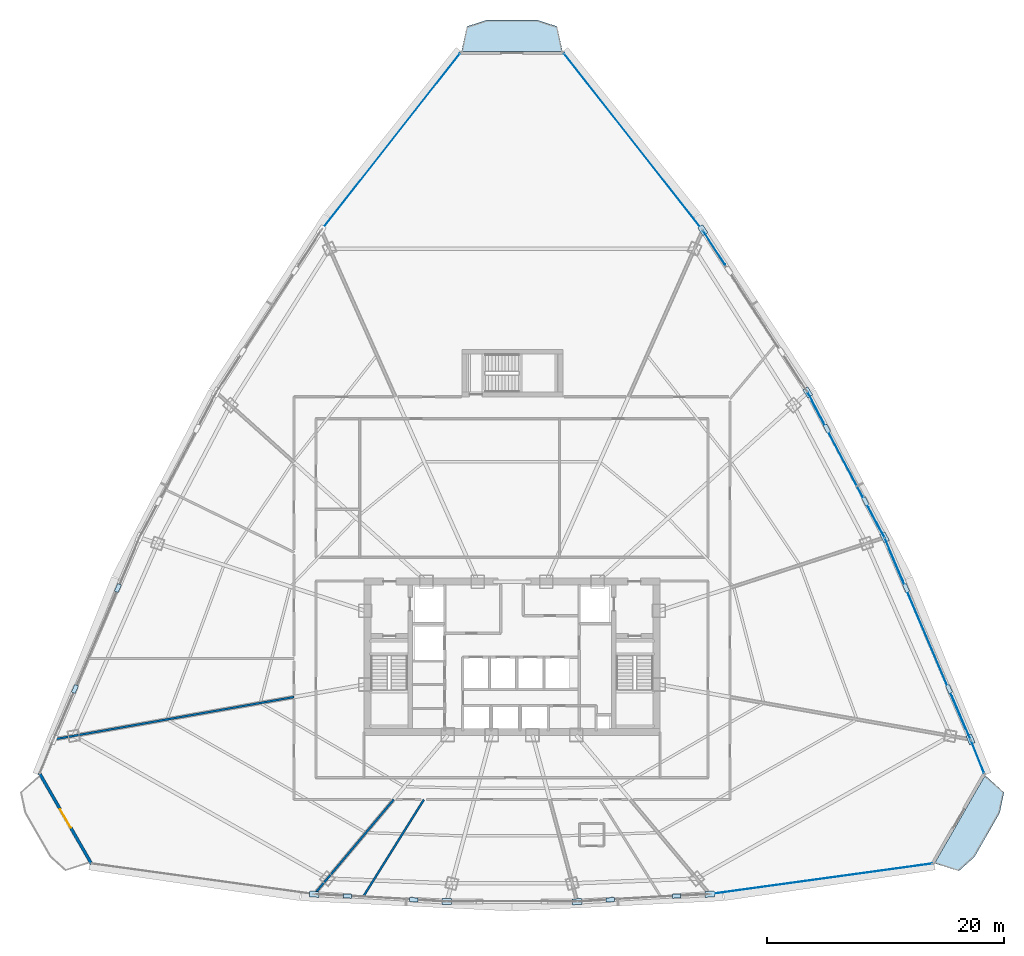
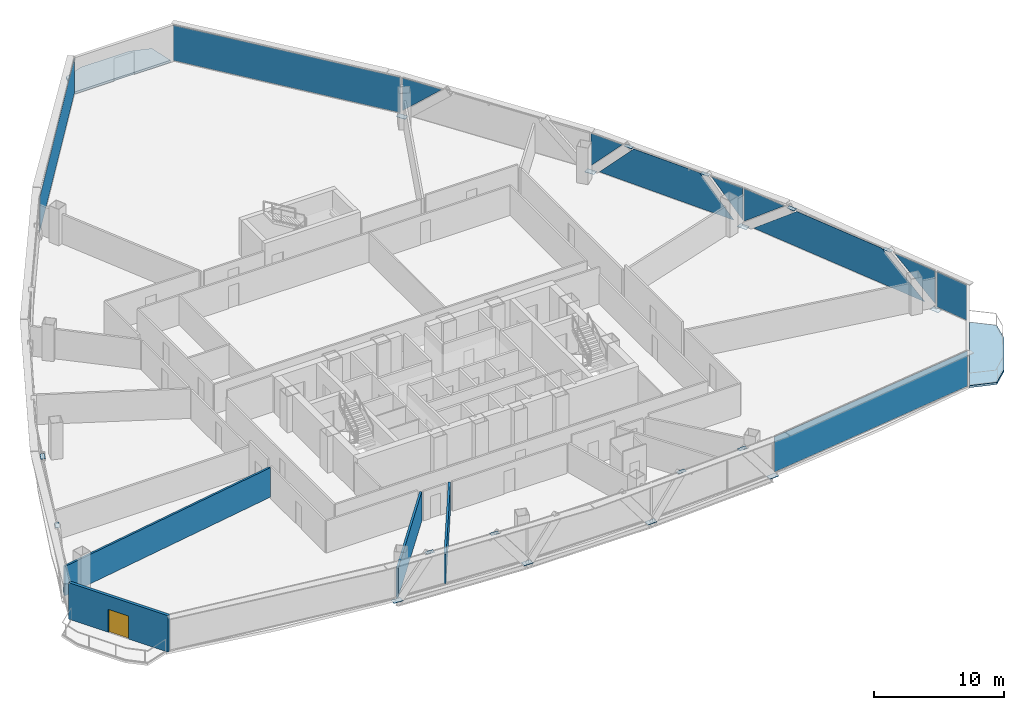
# One storey, part 31 of 39: 29 plates, 4 walls, 2 slabs, 1 door, 1 opening, 7 elements without a shape of their own.
"""IFC4 building model written with IfcOpenShell, lengths in metres."""

from ifc_helpers import new_model, si_unit, direction, frame, frame_2d, origin, origin_with_axes, origin_2d, place, context, subcontext, project, spatial, polyline, rectangle, outline, extrude, source, transform, mapped, material, layer, layer_set, type_object, element, fill, aggregate, save


model = new_model("IFC4")

# Units and contexts
model_context = context("Model", 3, precision=1e-05, world=origin(), true_north=direction((0.0, 1.0)))
body_context = subcontext(model_context, "Body", "Model", "MODEL_VIEW")
ifc_project = project(units=[si_unit("LENGTHUNIT", "METRE"), si_unit("AREAUNIT", "SQUARE_METRE"), si_unit("VOLUMEUNIT", "CUBIC_METRE"), si_unit("PLANEANGLEUNIT", "RADIAN"), si_unit("MASSUNIT", "GRAM", prefix="KILO"), si_unit("THERMODYNAMICTEMPERATUREUNIT", "KELVIN"), si_unit("POWERUNIT", "WATT")], contexts=[model_context])

# Site, building, storey
site_placement = place(None, origin())
site = spatial("IfcSite", under=ifc_project, at=site_placement, CompositionType="ELEMENT")
building_placement = place(site_placement, origin())
building = spatial("IfcBuilding", under=site, at=building_placement, Name="Yunzhuo Pagoda Commons", CompositionType="ELEMENT")
storey_placement = place(building_placement, frame((0.0, 0.0, 144.550048828125)))
storey = spatial("IfcBuildingStorey", under=building, at=storey_placement, Name="L36", CompositionType="ELEMENT", Elevation=144.550048828125)

# Curtain wall, plates
ifc_material_1 = material(Name="Anodized aluminium 6063-T6", Category="aluminium")
ifc_layer_1 = layer(ifc_material_1, 0.14990234375)
ifc_layer_set_1 = layer_set([ifc_layer_1], Name="Anodized aluminium 6063-T6")
curtain_wall_type = type_object("IfcCurtainWallType", Name="CW-MID Mid-Zone Ribbon Curtain Wall", PredefinedType="NOTDEFINED", material=ifc_layer_set_1)
curtain_wall_1_placement = place(storey_placement, origin())
curtain_wall_1 = element("IfcCurtainWall", 1, at=curtain_wall_1_placement, inside=storey, type_object=curtain_wall_type, Name="L36 curtain wall CW-L36-F2B2", PredefinedType="NOTDEFINED")
ifc_material_2 = material(Name="Tempered low-e double glazing", Category="glass")
ifc_layer_2 = layer(ifc_material_2, 0.028076171875)
ifc_layer_set_2 = layer_set([ifc_layer_2], Name="Tempered low-e double glazing")
plate_type_1 = type_object("IfcPlateType", Name="CW-MID-P Low-E Double Glazing 28", PredefinedType="CURTAIN_PANEL", material=ifc_layer_set_2)
plate_1_placement = place(storey_placement, frame((85.910400390625, 28.71435546875, 1.81884765625), z_axis=(0.920072228059, 0.391748765351, 0.0), x_axis=(-0.391748765351, 0.920072228059, 0.0)))
plate_1 = element("IfcPlate", 2, at=plate_1_placement, type_object=plate_type_1, Name="CW panel 1.1 lite 1", PredefinedType="CURTAIN_PANEL", context=body_context, shape_type="SweptSolid", body=[
    extrude(outline(polyline([(-1.94580078125, -1.5458984375), (1.945556640625, 1.5458984375), (-1.94580078125, 1.5458984375), (-1.94580078125, -1.5458984375)])), origin(), (0.0, 0.0, 1.0), 0.028076171875),
])
plate_2_placement = place(storey_placement, frame((83.039794921875, 35.379638671875, 1.7099609375), z_axis=(0.920072228059, 0.391748765351, 0.0), x_axis=(-0.391748765351, 0.920072228059, 0.0)))
plate_2 = element("IfcPlate", 3, at=plate_2_placement, type_object=plate_type_1, Name="CW panel 1.1 lite 2", PredefinedType="CURTAIN_PANEL", context=body_context, shape_type="SweptSolid", body=[
    extrude(outline(polyline([(-8.25537109375, -1.655029296875), (8.25537109375, -1.655029296875), (4.089599609375, 1.655029296875), (-4.089599609375, 1.655029296875), (-8.25537109375, -1.655029296875)])), origin(), (0.0, 0.0, 1.0), 0.028076171875),
])
plate_3_placement = place(storey_placement, frame((80.224365234375, 42.068359375, 1.81884765625), z_axis=(0.920072228059, 0.391748765351, 0.0), x_axis=(-0.391748765351, 0.920072228059, 0.0)))
plate_3 = element("IfcPlate", 4, at=plate_3_placement, type_object=plate_type_1, Name="CW panel 1.1 lite 3", PredefinedType="CURTAIN_PANEL", context=body_context, shape_type="SweptSolid", body=[
    extrude(outline(polyline([(-1.945556640625, 1.5458984375), (1.94580078125, -1.5458984375), (1.94580078125, 1.5458984375), (-1.945556640625, 1.5458984375)])), origin(), (0.0, 0.0, 1.0), 0.028076171875),
])
aggregate(curtain_wall_1, [plate_1, plate_2, plate_3])

curtain_wall_2_placement = place(storey_placement, origin())
curtain_wall_2 = element("IfcCurtainWall", 5, at=curtain_wall_2_placement, inside=storey, type_object=curtain_wall_type, Name="L36 curtain wall CW-L36-F2B3", PredefinedType="NOTDEFINED")
plate_4_placement = place(storey_placement, frame((78.74853515625, 45.218017578125, 1.861328125), z_axis=(0.883879096849, 0.467715449984, 0.0), x_axis=(-0.467715449984, 0.883879096849, 0.0)))
plate_4 = element("IfcPlate", 6, at=plate_4_placement, type_object=plate_type_1, Name="CW panel 1.1 lite 1", PredefinedType="CURTAIN_PANEL", context=body_context, shape_type="SweptSolid", body=[
    extrude(outline(polyline([(-1.416748046875, -1.503662109375), (1.416748046875, 1.503662109375), (-1.416748046875, 1.503662109375), (-1.416748046875, -1.503662109375)])), origin(), (0.0, 0.0, 1.0), 0.028076171875),
])
plate_5_placement = place(storey_placement, frame((76.169189453125, 50.0283203125, 1.7099609375), z_axis=(0.883879096849, 0.467715449984, 0.0), x_axis=(-0.467715449984, 0.883879096849, 0.0)))
plate_5 = element("IfcPlate", 7, at=plate_5_placement, type_object=plate_type_1, Name="CW panel 1.1 lite 2", PredefinedType="CURTAIN_PANEL", context=body_context, shape_type="SweptSolid", body=[
    extrude(outline(polyline([(-6.115966796875, -1.655029296875), (6.115966796875, -1.655029296875), (2.997314453125, 1.655029296875), (-2.9970703125, 1.655029296875), (-6.115966796875, -1.655029296875)])), origin(), (0.0, 0.0, 1.0), 0.028076171875),
])
plate_6_placement = place(storey_placement, frame((73.64306640625, 54.866455078125, 1.861328125), z_axis=(0.883879096849, 0.467715449984, 0.0), x_axis=(-0.467715449984, 0.883879096849, 0.0)))
plate_6 = element("IfcPlate", 8, at=plate_6_placement, type_object=plate_type_1, Name="CW panel 1.1 lite 3", PredefinedType="CURTAIN_PANEL", context=body_context, shape_type="SweptSolid", body=[
    extrude(outline(polyline([(-1.416748046875, 1.503662109375), (1.416748046875, -1.503662109375), (1.416748046875, 1.503662109375), (-1.416748046875, 1.503662109375)])), origin(), (0.0, 0.0, 1.0), 0.028076171875),
])
aggregate(curtain_wall_2, [plate_4, plate_5, plate_6])

# Curtain wall, plate
curtain_wall_3_placement = place(storey_placement, origin())
curtain_wall_3 = element("IfcCurtainWall", 9, at=curtain_wall_3_placement, inside=storey, type_object=curtain_wall_type, Name="L36 curtain wall CW-L36-F2B4", PredefinedType="NOTDEFINED")
plate_7_placement = place(storey_placement, frame((65.042724609375, 68.38330078125, 1.83544921875), z_axis=(0.839320281383, 0.543637255216, 0.0), x_axis=(-0.543637255216, 0.839320281383, 0.0)))
plate_7 = element("IfcPlate", 10, at=plate_7_placement, type_object=plate_type_1, Name="CW panel 1.1 lite 3", PredefinedType="CURTAIN_PANEL", context=body_context, shape_type="SweptSolid", body=[
    extrude(outline(polyline([(-1.694091796875, 1.529296875), (1.694091796875, -1.529296875), (1.694091796875, 1.529296875), (-1.694091796875, 1.529296875)])), origin(), (0.0, 0.0, 1.0), 0.028076171875),
])
aggregate(curtain_wall_3, [plate_7])

# Slabs
ifc_material_3 = material(Name="Concrete C40", Category="concrete")
ifc_layer_3 = layer(ifc_material_3, 0.199951171875)
ifc_layer_set_3 = layer_set([ifc_layer_3], Name="Concrete C40")
slab_type = type_object("IfcSlabType", Name="SL-BAL Vertex Balcony Deck Slab 200", PredefinedType="FLOOR", material=ifc_layer_set_3)
slab_1_placement = place(storey_placement, frame((0.0, 0.0, -0.199951171875)))
element("IfcSlab", 11, at=slab_1_placement, inside=storey, type_object=slab_type, Name="L36 corner balcony V2", PredefinedType="FLOOR", context=body_context, shape_type="SweptSolid", body=[
    extrude(outline(polyline([(83.679443359375, 16.419189453125), (87.9404296875, 23.840576171875), (89.533203125, 22.406982421875), (89.169189453125, 20.668212890625), (87.03857421875, 16.95751953125), (85.720458984375, 15.766357421875), (83.679443359375, 16.419189453125)])), origin(), (0.0, 0.0, 1.0), 0.199951171875),
])
slab_2_placement = place(storey_placement, frame((0.0, 0.0, -0.199951171875)))
element("IfcSlab", 12, at=slab_2_placement, inside=storey, type_object=slab_type, Name="L36 corner balcony V3", PredefinedType="FLOOR", context=body_context, shape_type="SweptSolid", body=[
    extrude(outline(polyline([(52.260986328125, 84.96337890625), (43.739013671875, 84.96337890625), (44.18896484375, 87.058349609375), (45.869384765625, 87.6083984375), (50.130615234375, 87.6083984375), (51.81103515625, 87.058349609375), (52.260986328125, 84.96337890625)])), origin(), (0.0, 0.0, 1.0), 0.199951171875),
])

# Plates
ifc_material_4 = material(Name="Structural steel Q355B", Category="steel")
ifc_layer_4 = layer(ifc_material_4, 0.028076171875)
ifc_layer_set_4 = layer_set([ifc_layer_4], Name="Structural steel Q355B")
plate_type_2 = type_object("IfcPlateType", Name="SP-ND1 Lattice Node Cap Plate 800x500x28", PredefinedType="USERDEFINED", material=ifc_layer_set_4)
shared_shape_1 = source(origin(), body_context, "Body", "SweptSolid", [
    extrude(rectangle(XDim=0.800048828125, YDim=0.5, at=origin_2d()), origin(), (0.0, 0.0, 1.0), 0.028076171875),
])
for number, where, z_axis, x_axis, name in (
    (13, (31.314453125, 13.81494140625, -0.27392578125), (0.0, 0.0, 1.0), (0.998396614135, -0.056605661238, 0.0), "L36 diamond node plate F1.1A"),
    (14, (42.501953125, 13.1806640625, -0.27392578125), (0.0, 0.0, 1.0), (1.0, 0.0, 0.0), "L36 diamond node plate F1.2A"),
    (15, (53.498046875, 13.1806640625, -0.27392578125), (0.0, 0.0, 1.0), (0.998396614135, 0.056605661238, 0.0), "L36 diamond node plate F1.3A"),
    (16, (64.685546875, 13.81494140625, -0.27392578125), (0.0, 0.0, 1.0), (0.998396614135, 0.056605661238, 0.0), "L36 diamond node plate F1.3B"),
    (17, (86.708984375, 26.87451171875, -0.27392578125), (0.0, 0.0, 1.0), (-0.391743040033, 0.920074665767, 0.0), "L36 diamond node plate F2.1A"),
    (18, (79.45166015625, 43.919189453125, -0.27392578125), (0.0, 0.0, 1.0), (-0.467713855613, 0.883879940528, 0.0), "L36 diamond node plate F2.2A"),
    (19, (72.964599609375, 56.17822265625, -0.27392578125), (0.0, 0.0, 1.0), (-0.543643297406, 0.839316367758, 0.0), "L36 diamond node plate F2.3A"),
    (20, (64.100830078125, 69.863037109375, -0.27392578125), (0.0, 0.0, 1.0), (-0.543643297406, 0.839316367758, 0.0), "L36 diamond node plate F2.3B"),
):
    element("IfcPlate", number, at=place(storey_placement, frame(where, z_axis=z_axis, x_axis=x_axis)), inside=storey, type_object=plate_type_2, Name=name, ObjectType="STIFFENER_PLATE", PredefinedType="USERDEFINED", context=body_context, shape_type="MappedRepresentation", body=[
        mapped(shared_shape_1, transform((0.0, 0.0, 0.0), scale=1.0)),
    ])
shared_shape_2 = source(origin(), body_context, "Body", "SweptSolid", [
    extrude(rectangle(XDim=0.699951171875, YDim=0.35009765625, at=origin_2d()), origin(), (0.0, 0.0, 1.0), 0.035888671875),
])
for number, where, z_axis, x_axis, name in (
    (21, (34.111328125, 13.65625, 3.3818359375), (0.0, 0.0, 1.0), (0.998396614135, -0.056605661238, 0.0), "L36 setback lattice tie plate F1.1L"),
    (22, (39.705078125, 13.339111328125, 3.3818359375), (0.0, 0.0, 1.0), (0.998396614135, -0.056605661238, 0.0), "L36 setback lattice tie plate F1.1R"),
    (23, (56.294921875, 13.339111328125, 3.3818359375), (0.0, 0.0, 1.0), (0.998396614135, 0.056605661238, 0.0), "L36 setback lattice tie plate F1.3L"),
    (24, (61.888671875, 13.65625, 3.3818359375), (0.0, 0.0, 1.0), (0.998396614135, 0.056605661238, 0.0), "L36 setback lattice tie plate F1.3R"),
    (25, (84.894775390625, 31.1357421875, 3.3818359375), (0.0, 0.0, 1.0), (-0.391743040033, 0.920074665767, 0.0), "L36 setback lattice tie plate F2.1L"),
    (26, (81.26611328125, 39.658203125, 3.3818359375), (0.0, 0.0, 1.0), (-0.391743040033, 0.920074665767, 0.0), "L36 setback lattice tie plate F2.1R"),
    (27, (77.829833984375, 46.98388671875, 3.3818359375), (0.0, 0.0, 1.0), (-0.467713855613, 0.883879940528, 0.0), "L36 setback lattice tie plate F2.2L"),
    (28, (74.58642578125, 53.113525390625, 3.3818359375), (0.0, 0.0, 1.0), (-0.467713855613, 0.883879940528, 0.0), "L36 setback lattice tie plate F2.2R"),
    (29, (14.73388671875, 39.658203125, 3.3818359375), (0.0, 0.0, 1.0), (-0.391743040033, -0.920074665767, 0.0), "L36 setback lattice tie plate F3.3L"),
    (30, (11.105224609375, 31.1357421875, 3.3818359375), (0.0, 0.0, 1.0), (-0.391743040033, -0.920074665767, 0.0), "L36 setback lattice tie plate F3.3R"),
):
    element("IfcPlate", number, at=place(storey_placement, frame(where, z_axis=z_axis, x_axis=x_axis)), inside=storey, type_object=plate_type_2, Name=name, ObjectType="STIFFENER_PLATE", PredefinedType="USERDEFINED", context=body_context, shape_type="MappedRepresentation", body=[
        mapped(shared_shape_2, transform((0.0, 0.0, 0.0), scale=1.0)),
    ])

# Curtain wall, plate
curtain_wall_4_placement = place(storey_placement, origin())
curtain_wall_4 = element("IfcCurtainWall", 31, at=curtain_wall_4_placement, inside=storey, type_object=curtain_wall_type, Name="L36 curtain wall CW-L36-F1B5", PredefinedType="NOTDEFINED")
shared_shape_3 = source(origin(), body_context, "Body", "SweptSolid", [
    extrude(rectangle(XDim=18.811767578125, YDim=0.028076171875, at=origin_2d()), origin(), (0.0, 0.0, 1.0), 3.31005859375),
])
plate_8_placement = place(storey_placement, frame((74.137451171875, 15.114501953125, 0.054931640625), z_axis=(0.0, 0.0, 1.0), x_axis=(0.990678510165, 0.136220738131, 0.0)))
plate_8 = element("IfcPlate", 32, at=plate_8_placement, type_object=plate_type_1, Name="CW panel 1.1", PredefinedType="CURTAIN_PANEL", context=body_context, shape_type="MappedRepresentation", body=[
    mapped(shared_shape_3, transform((0.0, 0.0, 0.0), scale=1.0)),
])
aggregate(curtain_wall_4, [plate_8])

curtain_wall_5_placement = place(storey_placement, origin())
curtain_wall_5 = element("IfcCurtainWall", 33, at=curtain_wall_5_placement, inside=storey, type_object=curtain_wall_type, Name="L36 curtain wall CW-L36-F2B1", PredefinedType="NOTDEFINED")
shared_shape_4 = source(origin(), body_context, "Body", "SweptSolid", [
    extrude(rectangle(XDim=2.91455078125, YDim=0.028076171875, at=origin_2d()), origin(), (0.0, 0.0, 1.0), 3.31005859375),
])
plate_9_placement = place(storey_placement, frame((87.303955078125, 25.3974609375, 0.054931640625), z_axis=(0.0, 0.0, 1.0), x_axis=(-0.373616750166, 0.927583162846, 0.0)))
plate_9 = element("IfcPlate", 34, at=plate_9_placement, type_object=plate_type_1, Name="CW panel 1.1", PredefinedType="CURTAIN_PANEL", context=body_context, shape_type="MappedRepresentation", body=[
    mapped(shared_shape_4, transform((0.0, 0.0, 0.0), scale=1.0)),
])
aggregate(curtain_wall_5, [plate_9])

curtain_wall_6_placement = place(storey_placement, origin())
curtain_wall_6 = element("IfcCurtainWall", 35, at=curtain_wall_6_placement, inside=storey, type_object=curtain_wall_type, Name="L36 curtain wall CW-L36-F2B5", PredefinedType="NOTDEFINED")
shared_shape_5 = source(origin(), body_context, "Body", "SweptSolid", [
    extrude(rectangle(XDim=18.82861328125, YDim=0.028076171875, at=origin_2d()), origin(), (0.0, 0.0, 1.0), 3.31005859375),
])
plate_10_placement = place(storey_placement, frame((58.205322265625, 77.375244140625, 0.054931640625), z_axis=(0.0, 0.0, 1.0), x_axis=(-0.617380481147, 0.786664694453, 0.0)))
plate_10 = element("IfcPlate", 36, at=plate_10_placement, type_object=plate_type_1, Name="CW panel 1.1", PredefinedType="CURTAIN_PANEL", context=body_context, shape_type="MappedRepresentation", body=[
    mapped(shared_shape_5, transform((0.0, 0.0, 0.0), scale=1.0)),
])
aggregate(curtain_wall_6, [plate_10])

curtain_wall_7_placement = place(storey_placement, origin())
curtain_wall_7 = element("IfcCurtainWall", 37, at=curtain_wall_7_placement, inside=storey, type_object=curtain_wall_type, Name="L36 curtain wall CW-L36-F3B1", PredefinedType="NOTDEFINED")
plate_11_placement = place(storey_placement, frame((37.794677734375, 77.375244140625, 0.054931640625), z_axis=(0.0, 0.0, 1.0), x_axis=(-0.617380481147, -0.786664694453, 0.0)))
plate_11 = element("IfcPlate", 38, at=plate_11_placement, type_object=plate_type_1, Name="CW panel 1.1", PredefinedType="CURTAIN_PANEL", context=body_context, shape_type="MappedRepresentation", body=[
    mapped(shared_shape_5, transform((0.0, 0.0, 0.0), scale=1.0)),
])
aggregate(curtain_wall_7, [plate_11])

# Wall, opening, door
ifc_material_5 = material(Name="Precast concrete C40", Category="concrete")
ifc_layer_5 = layer(ifc_material_5, 0.260009765625)
ifc_layer_set_5 = layer_set([ifc_layer_5], Name="Precast concrete C40")
wall_type_1 = type_object("IfcWallType", Name="W-BAL1 Corner Balcony Threshold Wall 260", PredefinedType="STANDARD", material=ifc_layer_set_5)
wall_1_placement = place(storey_placement, frame((8.101806640625, 24.037841796875, 0.0), z_axis=(0.0, 0.0, 1.0), x_axis=(0.497915888941, -0.867225326856, 0.0)))
wall_1 = element("IfcWall", 39, at=wall_1_placement, inside=storey, type_object=wall_type_1, Name="L36 corner balcony wall V1", PredefinedType="STANDARD", context=body_context, shape_type="SweptSolid", body=[
    extrude(rectangle(XDim=8.857666015625, YDim=0.260009765625, at=frame_2d((4.4287109375, 0.0))), origin(), (0.0, 0.0, 1.0), 3.419921875),
])
opening_placement = place(wall_1_placement, frame((3.52880859375, 0.0, 0.0)))
opening = element("IfcOpeningElement", 40, at=opening_placement, cuts=wall_1, Name="Opening D-BAL1", PredefinedType="OPENING", context=body_context, shape_type="SweptSolid", body=[
    extrude(rectangle(XDim=1.800048828125, YDim=2.14990234375, at=frame_2d((0.89990234375, 1.074951171875))), frame((0.0, 0.14013671875, 0.0), z_axis=(0.0, -1.0, 0.0), x_axis=(1.0, 0.0, 0.0)), (0.0, 0.0, 1.0), 0.280029296875),
])
ifc_material_6 = material(Name="Anodized aluminium frame and tempered glazed leaf", Category="aluminium")
door_type = type_object("IfcDoorType", Name="D-BAL1 Corner Balcony Sliding Glazed Door 1800x2150", OperationType="DOUBLE_DOOR_SLIDING", PredefinedType="DOOR", material=ifc_material_6)
shared_shape_6 = source(origin(), body_context, "Body", "SweptSolid", [
    extrude(rectangle(XDim=1.800048828125, YDim=2.14990234375, at=frame_2d((0.89990234375, 1.074951171875))), frame((0.0, 0.02490234375, 0.0), z_axis=(0.0, -1.0, 0.0), x_axis=(1.0, 0.0, 0.0)), (0.0, 0.0, 1.0), 0.050048828125),
])
door_placement = place(opening_placement, origin_with_axes())
door = element("IfcDoor", 41, at=door_placement, inside=storey, type_object=door_type, Name="L36 corner balcony sliding door V1", OperationType="DOUBLE_DOOR_SLIDING", OverallHeight=2.14990234375, OverallWidth=1.800048828125, PredefinedType="DOOR", context=body_context, shape_type="MappedRepresentation", body=[
    mapped(shared_shape_6, transform((0.0, 0.0, 0.0), scale=1.0)),
])
fill(opening, door)

# Walls
ifc_material_7 = material(Name="Gypsum plasterboard on acoustic stud")
ifc_layer_6 = layer(ifc_material_7, 0.175048828125)
ifc_layer_set_6 = layer_set([ifc_layer_6], Name="Gypsum plasterboard on acoustic stud")
wall_type_2 = type_object("IfcWallType", Name="W-PRT3 Mid-Zone Demising Wall 175", PredefinedType="PARTITIONING", material=ifc_layer_set_6)
wall_2_placement = place(storey_placement, frame((29.60009765625, 30.45556640625, 0.0), z_axis=(0.0, 0.0, 1.0), x_axis=(-0.984807623882, -0.173648909998, 0.0)))
element("IfcWall", 42, at=wall_2_placement, inside=storey, type_object=wall_type_2, Name="L36 interior wall IW-L36-RAD08", PredefinedType="PARTITIONING", context=body_context, shape_type="SweptSolid", body=[
    extrude(rectangle(XDim=20.622314453125, YDim=0.175048828125, at=frame_2d((10.31103515625, 0.0))), origin(), (0.0, 0.0, 1.0), 2.77001953125),
])
wall_3_placement = place(storey_placement, frame((38.0146484375, 21.800048828125, 0.0), z_axis=(0.0, 0.0, 1.0), x_axis=(-0.642781677101, -0.76604942111, 0.0)))
element("IfcWall", 43, at=wall_3_placement, inside=storey, type_object=wall_type_2, Name="L36 interior wall IW-L36-RAD09", PredefinedType="PARTITIONING", context=body_context, shape_type="SweptSolid", body=[
    extrude(rectangle(XDim=10.423828125, YDim=0.175048828125, at=frame_2d((5.2119140625, 0.0))), origin(), (0.0, 0.0, 1.0), 2.77001953125),
])
wall_4_placement = place(storey_placement, frame((40.564208984375, 21.800048828125, 0.0), z_axis=(0.0, 0.0, 1.0), x_axis=(-0.529931002604, -0.848040761096, 0.0)))
element("IfcWall", 44, at=wall_4_placement, inside=storey, type_object=wall_type_2, Name="L36 interior wall IW-L36-RAD10", PredefinedType="PARTITIONING", context=body_context, shape_type="SweptSolid", body=[
    extrude(rectangle(XDim=9.69091796875, YDim=0.175048828125, at=frame_2d((4.845458984375, 0.0))), origin(), (0.0, 0.0, 1.0), 2.77001953125),
])

save(model, "model.ifc")
